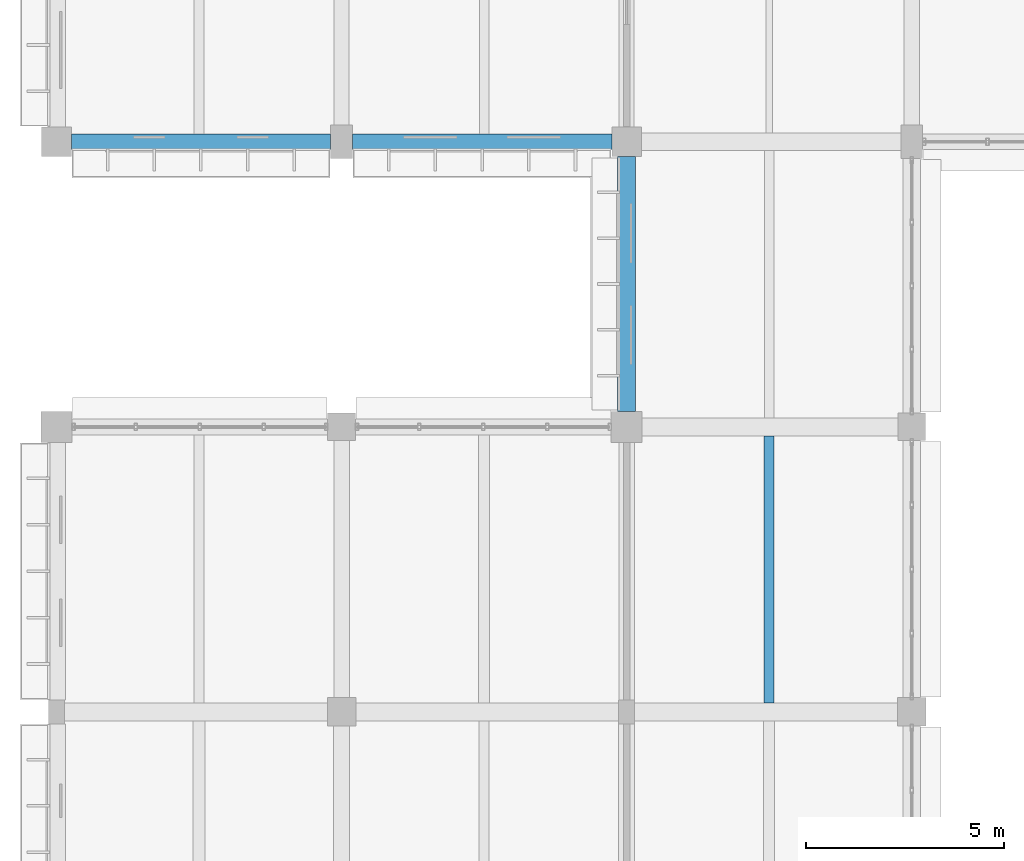
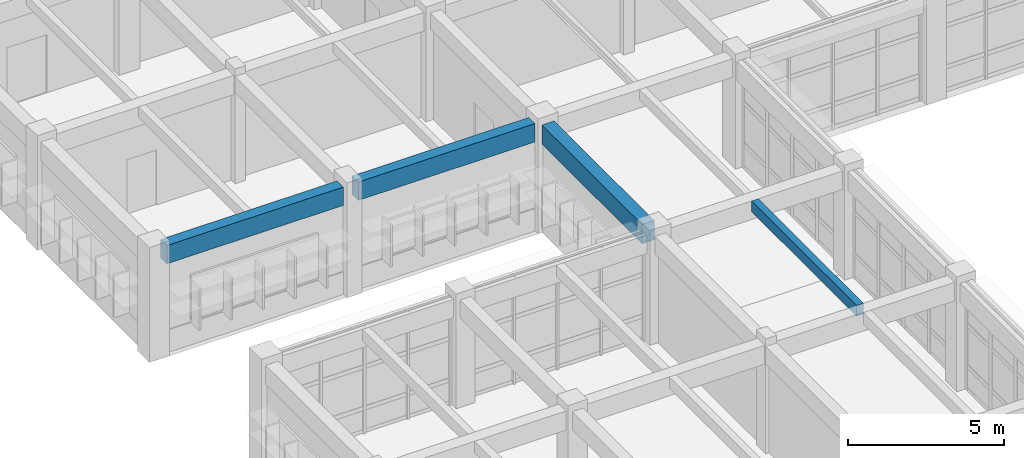
# One storey, part 52 of 171: 4 beams.
"""IFC4 building model written with IfcOpenShell, lengths in metres."""

from ifc_helpers import new_model, si_unit, direction, frame, origin, origin_2d, place, context, subcontext, project, spatial, rectangle, extrude, material, material_profile, profile_set, type_object, element, save


model = new_model("IFC4")

# Units and contexts
model_context = context("Model", 3, precision=1e-05, world=origin(), true_north=direction((0.0, 1.0)))
body_context = subcontext(model_context, "Body", "Model", "MODEL_VIEW")
ifc_project = project(units=[si_unit("LENGTHUNIT", "METRE"), si_unit("AREAUNIT", "SQUARE_METRE"), si_unit("VOLUMEUNIT", "CUBIC_METRE"), si_unit("PLANEANGLEUNIT", "RADIAN"), si_unit("MASSUNIT", "GRAM", prefix="KILO")], contexts=[model_context])

# Site, building, storey
site_placement = place(None, origin())
site = spatial("IfcSite", under=ifc_project, at=site_placement, CompositionType="ELEMENT")
building_placement = place(site_placement, origin())
building = spatial("IfcBuilding", under=site, at=building_placement, Name="Thalmaran Polytechnic", CompositionType="ELEMENT")
storey_placement = place(building_placement, frame((0.0, 0.0, 5.39990234375)))
storey = spatial("IfcBuildingStorey", under=building, at=storey_placement, Name="L01", CompositionType="ELEMENT", Elevation=5.39990234375)

# Beams
ifc_material = material(Name="Concrete C40/50", Category="concrete")
ifc_material_profile_1 = material_profile(ifc_material, rectangle(XDim=0.39990234375, YDim=0.719970703125, at=origin_2d()), Name="RC 400x720")
ifc_profile_set_1 = profile_set([ifc_material_profile_1], Name="Concrete C40/50")
beam_type_1 = type_object("IfcBeamType", Name="BM-SP01", PredefinedType="SPANDREL", material=ifc_profile_set_1)
beam_1_placement = place(storey_placement, frame((0.375, 93.60009765625, 3.85009765625), z_axis=(1.0, 0.0, 0.0), x_axis=(0.0, 1.0, 0.0)))
element("IfcBeam", 1, at=beam_1_placement, inside=storey, type_object=beam_type_1, Name="Grid Beam SP01 L01 X(0,13)", PredefinedType="SPANDREL", context=body_context, shape_type="SweptSolid", body=[
    extrude(rectangle(XDim=0.39990234375, YDim=0.719970703125, at=origin_2d()), origin(), (0.0, 0.0, 1.0), 6.550048828125),
])
beam_2_placement = place(storey_placement, frame((7.47509765625, 93.60009765625, 3.85009765625), z_axis=(1.0, 0.0, 0.0), x_axis=(0.0, 1.0, 0.0)))
element("IfcBeam", 2, at=beam_2_placement, inside=storey, type_object=beam_type_1, Name="Grid Beam SP01 L01 X(1,13)", PredefinedType="SPANDREL", context=body_context, shape_type="SweptSolid", body=[
    extrude(rectangle(XDim=0.39990234375, YDim=0.719970703125, at=origin_2d()), origin(), (0.0, 0.0, 1.0), 6.5498046875),
])
ifc_material_profile_2 = material_profile(ifc_material, rectangle(XDim=0.449951171875, YDim=0.7548828125, at=origin_2d()), Name="RC 450x755")
ifc_profile_set_2 = profile_set([ifc_material_profile_2], Name="Concrete C40/50")
beam_type_2 = type_object("IfcBeamType", Name="BM-SP02", PredefinedType="SPANDREL", material=ifc_profile_set_2)
beam_3_placement = place(storey_placement, frame((14.39990234375, 86.7900390625, 3.83251953125), z_axis=(0.0, 1.0, 0.0), x_axis=(-1.0, 0.0, 0.0)))
element("IfcBeam", 3, at=beam_3_placement, inside=storey, type_object=beam_type_2, Name="Grid Beam SP02 L01 Y(2,12)", PredefinedType="SPANDREL", context=body_context, shape_type="SweptSolid", body=[
    extrude(rectangle(XDim=0.449951171875, YDim=0.7548828125, at=origin_2d()), origin(), (0.0, 0.0, 1.0), 6.43505859375),
])
ifc_material_profile_3 = material_profile(ifc_material, rectangle(XDim=0.25, YDim=0.419921875, at=origin_2d()), Name="RC 250x420")
ifc_profile_set_3 = profile_set([ifc_material_profile_3], Name="Concrete C40/50")
beam_type_3 = type_object("IfcBeamType", Name="BM-ZJ03", PredefinedType="JOIST", material=ifc_profile_set_3)
beam_4_placement = place(storey_placement, frame((18.0, 79.425048828125, 4.0), z_axis=(0.0, 1.0, 0.0), x_axis=(-1.0, 0.0, 0.0)))
element("IfcBeam", 4, at=beam_4_placement, inside=storey, type_object=beam_type_3, Name="Secondary Floor Rib ZJ03 L01 (2,11)", PredefinedType="JOIST", context=body_context, shape_type="SweptSolid", body=[
    extrude(rectangle(XDim=0.25, YDim=0.419921875, at=origin_2d()), origin(), (0.0, 0.0, 1.0), 6.75),
])

save(model, "model.ifc")
